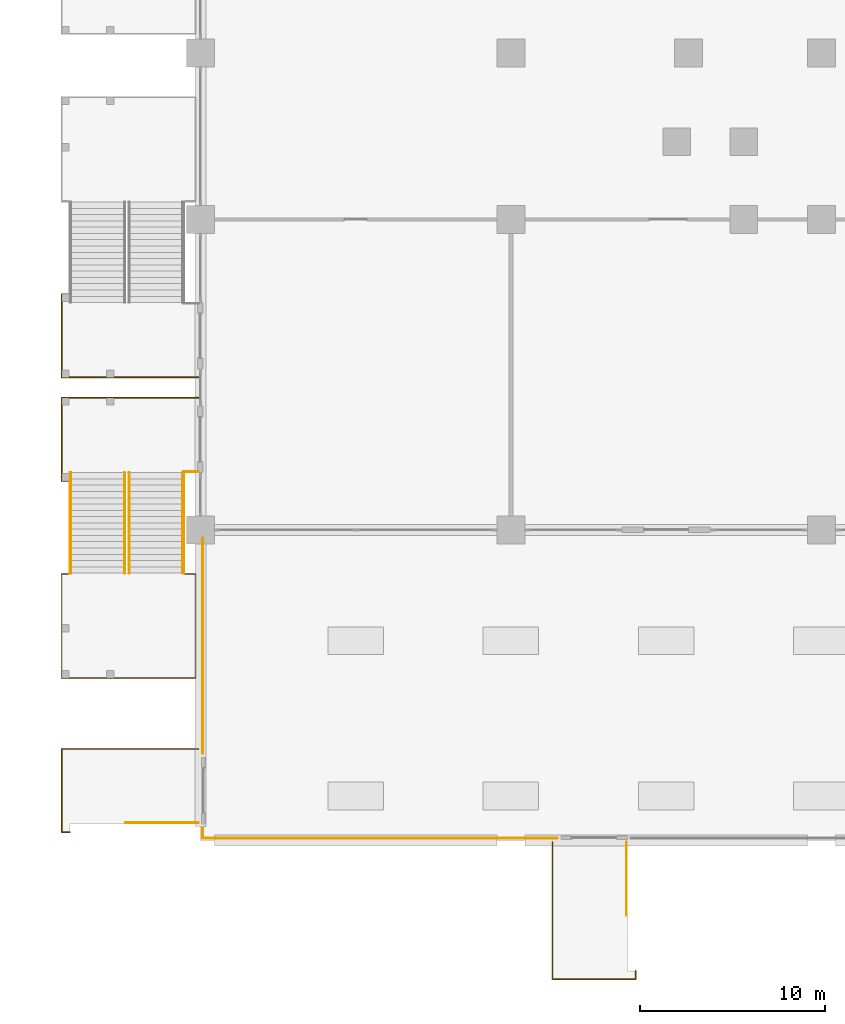
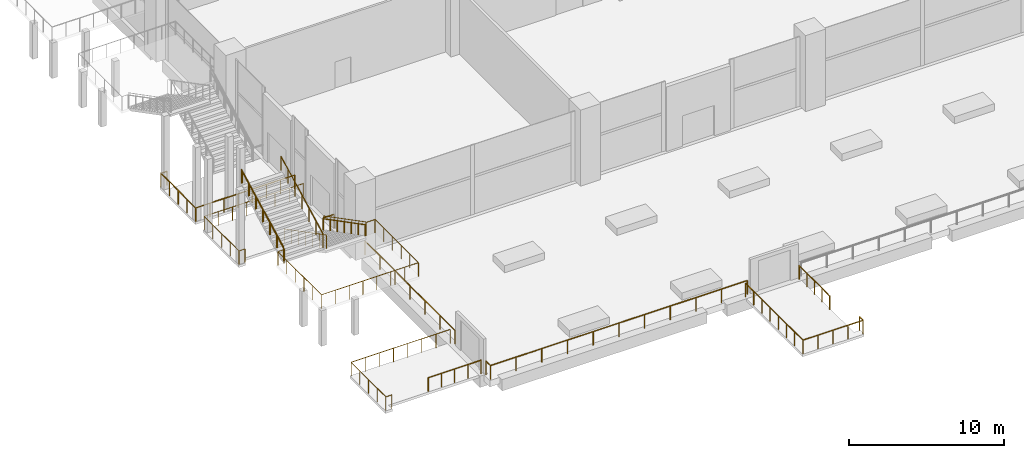
# One storey, part 32 of 47: 16 railings.
"""IFC4 building model written with IfcOpenShell, lengths in metres."""

from ifc_helpers import new_model, si_unit, direction, frame, origin, origin_2d, place, context, subcontext, project, spatial, circle, extrude, material, type_object, element, save


model = new_model("IFC4")

# Units and contexts
model_context = context("Model", 3, precision=1e-05, world=origin(), true_north=direction((0.0, 1.0)))
body_context = subcontext(model_context, "Body", "Model", "MODEL_VIEW")
ifc_project = project(units=[si_unit("LENGTHUNIT", "METRE"), si_unit("AREAUNIT", "SQUARE_METRE"), si_unit("VOLUMEUNIT", "CUBIC_METRE"), si_unit("PLANEANGLEUNIT", "RADIAN"), si_unit("MASSUNIT", "GRAM", prefix="KILO")], contexts=[model_context])

# Site, building, storey
site_placement = place(None, origin())
site = spatial("IfcSite", under=ifc_project, at=site_placement, CompositionType="ELEMENT")
building_placement = place(site_placement, origin())
building = spatial("IfcBuilding", under=site, at=building_placement, Name="Candeia Pilgrim Tower and Theatre", CompositionType="ELEMENT")
storey_placement = place(building_placement, frame((0.0, 0.0, 23.0)))
storey = spatial("IfcBuildingStorey", under=building, at=storey_placement, Name="L03", CompositionType="ELEMENT", Elevation=23.0)

# Railings
ifc_material_1 = material(Name="Stainless steel balustrade", Category="steel")
railing_type_1 = type_object("IfcRailingType", Name="G1 loggia guard 1100", PredefinedType="GUARDRAIL", material=ifc_material_1)
railing_1_placement = place(storey_placement, frame((78.10009765625, 64.52001953125, 0.0)))
element("IfcRailing", 1, at=railing_1_placement, inside=storey, type_object=railing_type_1, Name="Terrace guard L03.4", PredefinedType="GUARDRAIL", context=body_context, shape_type="SweptSolid", body=[
    extrude(circle(Radius=0.02392578125, at=origin_2d()), frame((0.0, 0.0, 1.076171875), z_axis=(-1.0, 0.0, 0.0), x_axis=(0.0, -1.0, 0.0)), (0.0, 0.0, 1.0), 19.18017578125),
    extrude(circle(Radius=0.02392578125, at=origin_2d()), frame((-19.18017578125, 0.0, 1.076171875), z_axis=(0.0, 1.0, 0.0), x_axis=(-1.0, 0.0, 0.0)), (0.0, 0.0, 1.0), 0.580078125),
    extrude(circle(Radius=0.02099609375, at=origin_2d()), origin(), (0.0, 0.0, 1.0), 1.052001953125),
    extrude(circle(Radius=0.02099609375, at=origin_2d()), frame((-1.91796875, 0.0, 0.0)), (0.0, 0.0, 1.0), 1.052001953125),
    extrude(circle(Radius=0.02099609375, at=origin_2d()), frame((-3.8359375, 0.0, 0.0)), (0.0, 0.0, 1.0), 1.052001953125),
    extrude(circle(Radius=0.02099609375, at=origin_2d()), frame((-5.754150390625, 0.0, 0.0)), (0.0, 0.0, 1.0), 1.052001953125),
    extrude(circle(Radius=0.02099609375, at=origin_2d()), frame((-7.672119140625, 0.0, 0.0)), (0.0, 0.0, 1.0), 1.052001953125),
    extrude(circle(Radius=0.02099609375, at=origin_2d()), frame((-9.590087890625, 0.0, 0.0)), (0.0, 0.0, 1.0), 1.052001953125),
    extrude(circle(Radius=0.02099609375, at=origin_2d()), frame((-11.508056640625, 0.0, 0.0)), (0.0, 0.0, 1.0), 1.052001953125),
    extrude(circle(Radius=0.02099609375, at=origin_2d()), frame((-13.426025390625, 0.0, 0.0)), (0.0, 0.0, 1.0), 1.052001953125),
    extrude(circle(Radius=0.02099609375, at=origin_2d()), frame((-15.34423828125, 0.0, 0.0)), (0.0, 0.0, 1.0), 1.052001953125),
    extrude(circle(Radius=0.02099609375, at=origin_2d()), frame((-17.26220703125, 0.0, 0.0)), (0.0, 0.0, 1.0), 1.052001953125),
    extrude(circle(Radius=0.02099609375, at=origin_2d()), frame((-19.18017578125, 0.0, 0.0)), (0.0, 0.0, 1.0), 1.052001953125),
    extrude(circle(Radius=0.02099609375, at=origin_2d()), frame((-19.18017578125, 0.580078125, 0.0)), (0.0, 0.0, 1.0), 1.052001953125),
])
railing_2_placement = place(storey_placement, frame((58.919921875, 69.10009765625, 0.0)))
element("IfcRailing", 2, at=railing_2_placement, inside=storey, type_object=railing_type_1, Name="Terrace guard L03.5", PredefinedType="GUARDRAIL", context=body_context, shape_type="SweptSolid", body=[
    extrude(circle(Radius=0.02392578125, at=origin_2d()), frame((0.0, 0.0, 1.076171875), z_axis=(0.0, 1.0, 0.0), x_axis=(-1.0, 0.0, 0.0)), (0.0, 0.0, 1.0), 11.64990234375),
    extrude(circle(Radius=0.02099609375, at=origin_2d()), origin(), (0.0, 0.0, 1.0), 1.052001953125),
    extrude(circle(Radius=0.02099609375, at=origin_2d()), frame((0.0, 1.941650390625, 0.0)), (0.0, 0.0, 1.0), 1.052001953125),
    extrude(circle(Radius=0.02099609375, at=origin_2d()), frame((0.0, 3.88330078125, 0.0)), (0.0, 0.0, 1.0), 1.052001953125),
    extrude(circle(Radius=0.02099609375, at=origin_2d()), frame((0.0, 5.824951171875, 0.0)), (0.0, 0.0, 1.0), 1.052001953125),
    extrude(circle(Radius=0.02099609375, at=origin_2d()), frame((0.0, 7.7666015625, 0.0)), (0.0, 0.0, 1.0), 1.052001953125),
    extrude(circle(Radius=0.02099609375, at=origin_2d()), frame((0.0, 9.708251953125, 0.0)), (0.0, 0.0, 1.0), 1.052001953125),
    extrude(circle(Radius=0.02099609375, at=origin_2d()), frame((0.0, 11.64990234375, 0.0)), (0.0, 0.0, 1.0), 1.052001953125),
])
railing_type_2 = type_object("IfcRailingType", Name="RL-GUARD-1100", PredefinedType="GUARDRAIL", material=ifc_material_1)
railing_3_placement = place(storey_placement, frame((77.85009765625, 64.300048828125, 0.0)))
element("IfcRailing", 3, at=railing_3_placement, inside=storey, type_object=railing_type_2, Name="L03 External escape stair ES8 landing guard", PredefinedType="GUARDRAIL", context=body_context, shape_type="SweptSolid", body=[
    extrude(circle(Radius=0.02392578125, at=origin_2d()), frame((0.0, 0.0, 1.076171875), z_axis=(0.0, -1.0, 0.0), x_axis=(1.0, 0.0, 0.0)), (0.0, 0.0, 1.0), 7.400146484375),
    extrude(circle(Radius=0.02392578125, at=origin_2d()), frame((0.0, -7.400146484375, 1.076171875), z_axis=(1.0, 0.0, 0.0), x_axis=(0.0, 1.0, 0.0)), (0.0, 0.0, 1.0), 4.5),
    extrude(circle(Radius=0.02392578125, at=origin_2d()), frame((4.5, -7.400146484375, 1.076171875), z_axis=(0.0, 1.0, 0.0), x_axis=(-1.0, 0.0, 0.0)), (0.0, 0.0, 1.0), 0.4501953125),
    extrude(circle(Radius=0.02099609375, at=origin_2d()), origin(), (0.0, 0.0, 1.0), 1.052001953125),
    extrude(circle(Radius=0.02099609375, at=origin_2d()), frame((0.0, -1.05712890625, 0.0)), (0.0, 0.0, 1.0), 1.052001953125),
    extrude(circle(Radius=0.02099609375, at=origin_2d()), frame((0.0, -2.1142578125, 0.0)), (0.0, 0.0, 1.0), 1.052001953125),
    extrude(circle(Radius=0.02099609375, at=origin_2d()), frame((0.0, -3.17138671875, 0.0)), (0.0, 0.0, 1.0), 1.052001953125),
    extrude(circle(Radius=0.02099609375, at=origin_2d()), frame((0.0, -4.228759765625, 0.0)), (0.0, 0.0, 1.0), 1.052001953125),
    extrude(circle(Radius=0.02099609375, at=origin_2d()), frame((0.0, -5.285888671875, 0.0)), (0.0, 0.0, 1.0), 1.052001953125),
    extrude(circle(Radius=0.02099609375, at=origin_2d()), frame((0.0, -6.343017578125, 0.0)), (0.0, 0.0, 1.0), 1.052001953125),
    extrude(circle(Radius=0.02099609375, at=origin_2d()), frame((0.0, -7.400146484375, 0.0)), (0.0, 0.0, 1.0), 1.052001953125),
    extrude(circle(Radius=0.02099609375, at=origin_2d()), frame((1.125, -7.400146484375, 0.0)), (0.0, 0.0, 1.0), 1.052001953125),
    extrude(circle(Radius=0.02099609375, at=origin_2d()), frame((2.25, -7.400146484375, 0.0)), (0.0, 0.0, 1.0), 1.052001953125),
    extrude(circle(Radius=0.02099609375, at=origin_2d()), frame((3.375, -7.400146484375, 0.0)), (0.0, 0.0, 1.0), 1.052001953125),
    extrude(circle(Radius=0.02099609375, at=origin_2d()), frame((4.5, -7.400146484375, 0.0)), (0.0, 0.0, 1.0), 1.052001953125),
    extrude(circle(Radius=0.02099609375, at=origin_2d()), frame((4.5, -6.949951171875, 0.0)), (0.0, 0.0, 1.0), 1.052001953125),
])
railing_4_placement = place(storey_placement, frame((81.85009765625, 64.300048828125, 0.0)))
element("IfcRailing", 4, at=railing_4_placement, inside=storey, type_object=railing_type_2, Name="L03 External escape stair ES8 top guard", PredefinedType="GUARDRAIL", context=body_context, shape_type="SweptSolid", body=[
    extrude(circle(Radius=0.02392578125, at=origin_2d()), frame((0.0, 0.0, 1.076171875), z_axis=(0.0, -1.0, 0.0), x_axis=(1.0, 0.0, 0.0)), (0.0, 0.0, 1.0), 3.949951171875),
    extrude(circle(Radius=0.02099609375, at=origin_2d()), origin(), (0.0, 0.0, 1.0), 1.052001953125),
    extrude(circle(Radius=0.02099609375, at=origin_2d()), frame((0.0, -0.987548828125, 0.0)), (0.0, 0.0, 1.0), 1.052001953125),
    extrude(circle(Radius=0.02099609375, at=origin_2d()), frame((0.0, -1.97509765625, 0.0)), (0.0, 0.0, 1.0), 1.052001953125),
    extrude(circle(Radius=0.02099609375, at=origin_2d()), frame((0.0, -2.96240234375, 0.0)), (0.0, 0.0, 1.0), 1.052001953125),
    extrude(circle(Radius=0.02099609375, at=origin_2d()), frame((0.0, -3.949951171875, 0.0)), (0.0, 0.0, 1.0), 1.052001953125),
])
railing_5_placement = place(storey_placement, frame((58.699951171875, 69.35009765625, 0.0)))
element("IfcRailing", 5, at=railing_5_placement, inside=storey, type_object=railing_type_2, Name="L03 External escape stair ES10 landing guard", PredefinedType="GUARDRAIL", context=body_context, shape_type="SweptSolid", body=[
    extrude(circle(Radius=0.02392578125, at=origin_2d()), frame((0.0, 0.0, 1.076171875), z_axis=(-1.0, 0.0, 0.0), x_axis=(0.0, -1.0, 0.0)), (0.0, 0.0, 1.0), 7.39990234375),
    extrude(circle(Radius=0.02392578125, at=origin_2d()), frame((-7.39990234375, 0.0, 1.076171875), z_axis=(0.0, -1.0, 0.0), x_axis=(1.0, 0.0, 0.0)), (0.0, 0.0, 1.0), 4.5),
    extrude(circle(Radius=0.02392578125, at=origin_2d()), frame((-7.39990234375, -4.5, 1.076171875), z_axis=(1.0, 0.0, 0.0), x_axis=(0.0, 1.0, 0.0)), (0.0, 0.0, 1.0), 0.449951171875),
    extrude(circle(Radius=0.02099609375, at=origin_2d()), origin(), (0.0, 0.0, 1.0), 1.052001953125),
    extrude(circle(Radius=0.02099609375, at=origin_2d()), frame((-1.05712890625, 0.0, 0.0)), (0.0, 0.0, 1.0), 1.052001953125),
    extrude(circle(Radius=0.02099609375, at=origin_2d()), frame((-2.1142578125, 0.0, 0.0)), (0.0, 0.0, 1.0), 1.052001953125),
    extrude(circle(Radius=0.02099609375, at=origin_2d()), frame((-3.17138671875, 0.0, 0.0)), (0.0, 0.0, 1.0), 1.052001953125),
    extrude(circle(Radius=0.02099609375, at=origin_2d()), frame((-4.228515625, 0.0, 0.0)), (0.0, 0.0, 1.0), 1.052001953125),
    extrude(circle(Radius=0.02099609375, at=origin_2d()), frame((-5.28564453125, 0.0, 0.0)), (0.0, 0.0, 1.0), 1.052001953125),
    extrude(circle(Radius=0.02099609375, at=origin_2d()), frame((-6.3427734375, 0.0, 0.0)), (0.0, 0.0, 1.0), 1.052001953125),
    extrude(circle(Radius=0.02099609375, at=origin_2d()), frame((-7.39990234375, 0.0, 0.0)), (0.0, 0.0, 1.0), 1.052001953125),
    extrude(circle(Radius=0.02099609375, at=origin_2d()), frame((-7.39990234375, -1.125, 0.0)), (0.0, 0.0, 1.0), 1.052001953125),
    extrude(circle(Radius=0.02099609375, at=origin_2d()), frame((-7.39990234375, -2.25, 0.0)), (0.0, 0.0, 1.0), 1.052001953125),
    extrude(circle(Radius=0.02099609375, at=origin_2d()), frame((-7.39990234375, -3.375, 0.0)), (0.0, 0.0, 1.0), 1.052001953125),
    extrude(circle(Radius=0.02099609375, at=origin_2d()), frame((-7.39990234375, -4.5, 0.0)), (0.0, 0.0, 1.0), 1.052001953125),
    extrude(circle(Radius=0.02099609375, at=origin_2d()), frame((-6.949951171875, -4.5, 0.0)), (0.0, 0.0, 1.0), 1.052001953125),
])
railing_6_placement = place(storey_placement, frame((58.699951171875, 65.35009765625, 0.0)))
element("IfcRailing", 6, at=railing_6_placement, inside=storey, type_object=railing_type_2, Name="L03 External escape stair ES10 top guard", PredefinedType="GUARDRAIL", context=body_context, shape_type="SweptSolid", body=[
    extrude(circle(Radius=0.02392578125, at=origin_2d()), frame((0.0, 0.0, 1.076171875), z_axis=(-1.0, 0.0, 0.0), x_axis=(0.0, -1.0, 0.0)), (0.0, 0.0, 1.0), 3.949951171875),
    extrude(circle(Radius=0.02099609375, at=origin_2d()), origin(), (0.0, 0.0, 1.0), 1.052001953125),
    extrude(circle(Radius=0.02099609375, at=origin_2d()), frame((-0.987548828125, 0.0, 0.0)), (0.0, 0.0, 1.0), 1.052001953125),
    extrude(circle(Radius=0.02099609375, at=origin_2d()), frame((-1.97509765625, 0.0, 0.0)), (0.0, 0.0, 1.0), 1.052001953125),
    extrude(circle(Radius=0.02099609375, at=origin_2d()), frame((-2.96240234375, 0.0, 0.0)), (0.0, 0.0, 1.0), 1.052001953125),
    extrude(circle(Radius=0.02099609375, at=origin_2d()), frame((-3.949951171875, 0.0, 0.0)), (0.0, 0.0, 1.0), 1.052001953125),
])
railing_7_placement = place(storey_placement, frame((54.949951171875, 84.300048828125, 0.176513671875)))
element("IfcRailing", 7, at=railing_7_placement, inside=storey, type_object=railing_type_2, Name="L03 ES11 stair guard 1", PredefinedType="GUARDRAIL", context=body_context, shape_type="SweptSolid", body=[
    extrude(circle(Radius=0.02392578125, at=origin_2d()), frame((0.0, 0.0, 1.076171875), z_axis=(0.0, -0.887569374008, 0.460674078198), x_axis=(1.0, 0.0, 0.0)), (0.0, 0.0, 1.0), 6.129150390625),
    extrude(circle(Radius=0.02099609375, at=origin_2d()), origin(), (0.0, 0.0, 1.0), 1.052001953125),
    extrude(circle(Radius=0.02099609375, at=origin_2d()), frame((0.0, -0.90673828125, 0.470703125)), (0.0, 0.0, 1.0), 1.052001953125),
    extrude(circle(Radius=0.02099609375, at=origin_2d()), frame((0.0, -1.813232421875, 0.941162109375)), (0.0, 0.0, 1.0), 1.052001953125),
    extrude(circle(Radius=0.02099609375, at=origin_2d()), frame((0.0, -2.719970703125, 1.41162109375)), (0.0, 0.0, 1.0), 1.052001953125),
    extrude(circle(Radius=0.02099609375, at=origin_2d()), frame((0.0, -3.626708984375, 1.88232421875)), (0.0, 0.0, 1.0), 1.052001953125),
    extrude(circle(Radius=0.02099609375, at=origin_2d()), frame((0.0, -4.533203125, 2.35302734375)), (0.0, 0.0, 1.0), 1.052001953125),
    extrude(circle(Radius=0.02099609375, at=origin_2d()), frame((0.0, -5.43994140625, 2.823486328125)), (0.0, 0.0, 1.0), 1.052001953125),
])
railing_8_placement = place(storey_placement, frame((54.699951171875, 78.860107421875, 3.176513671875)))
element("IfcRailing", 8, at=railing_8_placement, inside=storey, type_object=railing_type_2, Name="L03 ES11 stair guard 2", PredefinedType="GUARDRAIL", context=body_context, shape_type="SweptSolid", body=[
    extrude(circle(Radius=0.02392578125, at=origin_2d()), frame((0.0, 0.0, 1.076171875), z_axis=(0.0, 0.887569374008, 0.460674078198), x_axis=(-1.0, 0.0, 0.0)), (0.0, 0.0, 1.0), 6.129150390625),
    extrude(circle(Radius=0.02099609375, at=origin_2d()), origin(), (0.0, 0.0, 1.0), 1.052001953125),
    extrude(circle(Radius=0.02099609375, at=origin_2d()), frame((0.0, 0.90673828125, 0.470703125)), (0.0, 0.0, 1.0), 1.052001953125),
    extrude(circle(Radius=0.02099609375, at=origin_2d()), frame((0.0, 1.813232421875, 0.941162109375)), (0.0, 0.0, 1.0), 1.052001953125),
    extrude(circle(Radius=0.02099609375, at=origin_2d()), frame((0.0, 2.719970703125, 1.41162109375)), (0.0, 0.0, 1.0), 1.052001953125),
    extrude(circle(Radius=0.02099609375, at=origin_2d()), frame((0.0, 3.626708984375, 1.88232421875)), (0.0, 0.0, 1.0), 1.052001953125),
    extrude(circle(Radius=0.02099609375, at=origin_2d()), frame((0.0, 4.533203125, 2.35302734375)), (0.0, 0.0, 1.0), 1.052001953125),
    extrude(circle(Radius=0.02099609375, at=origin_2d()), frame((0.0, 5.43994140625, 2.823486328125)), (0.0, 0.0, 1.0), 1.052001953125),
])
railing_9_placement = place(storey_placement, frame((57.89990234375, 84.300048828125, 0.176513671875)))
element("IfcRailing", 9, at=railing_9_placement, inside=storey, type_object=railing_type_2, Name="L03 ES11 stair guard 3", PredefinedType="GUARDRAIL", context=body_context, shape_type="SweptSolid", body=[
    extrude(circle(Radius=0.02392578125, at=origin_2d()), frame((0.0, 0.0, 1.076171875), z_axis=(0.0, -0.887569374008, 0.460674078198), x_axis=(1.0, 0.0, 0.0)), (0.0, 0.0, 1.0), 6.129150390625),
    extrude(circle(Radius=0.02099609375, at=origin_2d()), origin(), (0.0, 0.0, 1.0), 1.052001953125),
    extrude(circle(Radius=0.02099609375, at=origin_2d()), frame((0.0, -0.90673828125, 0.470703125)), (0.0, 0.0, 1.0), 1.052001953125),
    extrude(circle(Radius=0.02099609375, at=origin_2d()), frame((0.0, -1.813232421875, 0.941162109375)), (0.0, 0.0, 1.0), 1.052001953125),
    extrude(circle(Radius=0.02099609375, at=origin_2d()), frame((0.0, -2.719970703125, 1.41162109375)), (0.0, 0.0, 1.0), 1.052001953125),
    extrude(circle(Radius=0.02099609375, at=origin_2d()), frame((0.0, -3.626708984375, 1.88232421875)), (0.0, 0.0, 1.0), 1.052001953125),
    extrude(circle(Radius=0.02099609375, at=origin_2d()), frame((0.0, -4.533203125, 2.35302734375)), (0.0, 0.0, 1.0), 1.052001953125),
    extrude(circle(Radius=0.02099609375, at=origin_2d()), frame((0.0, -5.43994140625, 2.823486328125)), (0.0, 0.0, 1.0), 1.052001953125),
])
railing_10_placement = place(storey_placement, frame((51.75, 78.860107421875, 3.176513671875)))
element("IfcRailing", 10, at=railing_10_placement, inside=storey, type_object=railing_type_2, Name="L03 ES11 stair guard 4", PredefinedType="GUARDRAIL", context=body_context, shape_type="SweptSolid", body=[
    extrude(circle(Radius=0.02392578125, at=origin_2d()), frame((0.0, 0.0, 1.076171875), z_axis=(0.0, 0.887569374008, 0.460674078198), x_axis=(-1.0, 0.0, 0.0)), (0.0, 0.0, 1.0), 6.129150390625),
    extrude(circle(Radius=0.02099609375, at=origin_2d()), origin(), (0.0, 0.0, 1.0), 1.052001953125),
    extrude(circle(Radius=0.02099609375, at=origin_2d()), frame((0.0, 0.90673828125, 0.470703125)), (0.0, 0.0, 1.0), 1.052001953125),
    extrude(circle(Radius=0.02099609375, at=origin_2d()), frame((0.0, 1.813232421875, 0.941162109375)), (0.0, 0.0, 1.0), 1.052001953125),
    extrude(circle(Radius=0.02099609375, at=origin_2d()), frame((0.0, 2.719970703125, 1.41162109375)), (0.0, 0.0, 1.0), 1.052001953125),
    extrude(circle(Radius=0.02099609375, at=origin_2d()), frame((0.0, 3.626708984375, 1.88232421875)), (0.0, 0.0, 1.0), 1.052001953125),
    extrude(circle(Radius=0.02099609375, at=origin_2d()), frame((0.0, 4.533203125, 2.35302734375)), (0.0, 0.0, 1.0), 1.052001953125),
    extrude(circle(Radius=0.02099609375, at=origin_2d()), frame((0.0, 5.43994140625, 2.823486328125)), (0.0, 0.0, 1.0), 1.052001953125),
])
railing_11_placement = place(storey_placement, frame((57.89990234375, 78.81005859375, 3.0)))
element("IfcRailing", 11, at=railing_11_placement, inside=storey, type_object=railing_type_2, Name="L03 ES11 stair guard 5", PredefinedType="GUARDRAIL", context=body_context, shape_type="SweptSolid", body=[
    extrude(circle(Radius=0.02392578125, at=origin_2d()), frame((0.0, 0.0, 1.076171875), z_axis=(1.0, 0.0, 0.0), x_axis=(0.0, 1.0, 0.0)), (0.0, 0.0, 1.0), 0.650146484375),
    extrude(circle(Radius=0.02392578125, at=origin_2d()), frame((0.650146484375, 0.0, 1.076171875), z_axis=(0.0, -1.0, 0.0), x_axis=(1.0, 0.0, 0.0)), (0.0, 0.0, 1.0), 5.6201171875),
    extrude(circle(Radius=0.02392578125, at=origin_2d()), frame((0.650146484375, -5.6201171875, 1.076171875), z_axis=(-1.0, 0.0, 0.0), x_axis=(0.0, -1.0, 0.0)), (0.0, 0.0, 1.0), 7.25),
    extrude(circle(Radius=0.02392578125, at=origin_2d()), frame((-6.599853515625, -5.6201171875, 1.076171875), z_axis=(0.0, 1.0, 0.0), x_axis=(-1.0, 0.0, 0.0)), (0.0, 0.0, 1.0), 5.6201171875),
    extrude(circle(Radius=0.02392578125, at=origin_2d()), frame((-6.599853515625, 0.0, 1.076171875), z_axis=(1.0, 0.0, 0.0), x_axis=(0.0, 1.0, 0.0)), (0.0, 0.0, 1.0), 0.449951171875),
    extrude(circle(Radius=0.02099609375, at=origin_2d()), origin(), (0.0, 0.0, 1.0), 1.052001953125),
    extrude(circle(Radius=0.02099609375, at=origin_2d()), frame((0.650146484375, 0.0, 0.0)), (0.0, 0.0, 1.0), 1.052001953125),
    extrude(circle(Radius=0.02099609375, at=origin_2d()), frame((0.650146484375, -1.1240234375, 0.0)), (0.0, 0.0, 1.0), 1.052001953125),
    extrude(circle(Radius=0.02099609375, at=origin_2d()), frame((0.650146484375, -2.248046875, 0.0)), (0.0, 0.0, 1.0), 1.052001953125),
    extrude(circle(Radius=0.02099609375, at=origin_2d()), frame((0.650146484375, -3.3720703125, 0.0)), (0.0, 0.0, 1.0), 1.052001953125),
    extrude(circle(Radius=0.02099609375, at=origin_2d()), frame((0.650146484375, -4.49609375, 0.0)), (0.0, 0.0, 1.0), 1.052001953125),
    extrude(circle(Radius=0.02099609375, at=origin_2d()), frame((0.650146484375, -5.6201171875, 0.0)), (0.0, 0.0, 1.0), 1.052001953125),
    extrude(circle(Radius=0.02099609375, at=origin_2d()), frame((-0.385498046875, -5.6201171875, 0.0)), (0.0, 0.0, 1.0), 1.052001953125),
    extrude(circle(Radius=0.02099609375, at=origin_2d()), frame((-1.42138671875, -5.6201171875, 0.0)), (0.0, 0.0, 1.0), 1.052001953125),
    extrude(circle(Radius=0.02099609375, at=origin_2d()), frame((-2.45703125, -5.6201171875, 0.0)), (0.0, 0.0, 1.0), 1.052001953125),
    extrude(circle(Radius=0.02099609375, at=origin_2d()), frame((-3.49267578125, -5.6201171875, 0.0)), (0.0, 0.0, 1.0), 1.052001953125),
    extrude(circle(Radius=0.02099609375, at=origin_2d()), frame((-4.5283203125, -5.6201171875, 0.0)), (0.0, 0.0, 1.0), 1.052001953125),
    extrude(circle(Radius=0.02099609375, at=origin_2d()), frame((-5.564208984375, -5.6201171875, 0.0)), (0.0, 0.0, 1.0), 1.052001953125),
    extrude(circle(Radius=0.02099609375, at=origin_2d()), frame((-6.599853515625, -5.6201171875, 0.0)), (0.0, 0.0, 1.0), 1.052001953125),
    extrude(circle(Radius=0.02099609375, at=origin_2d()), frame((-6.599853515625, -4.49609375, 0.0)), (0.0, 0.0, 1.0), 1.052001953125),
    extrude(circle(Radius=0.02099609375, at=origin_2d()), frame((-6.599853515625, -3.3720703125, 0.0)), (0.0, 0.0, 1.0), 1.052001953125),
    extrude(circle(Radius=0.02099609375, at=origin_2d()), frame((-6.599853515625, -2.248046875, 0.0)), (0.0, 0.0, 1.0), 1.052001953125),
    extrude(circle(Radius=0.02099609375, at=origin_2d()), frame((-6.599853515625, -1.1240234375, 0.0)), (0.0, 0.0, 1.0), 1.052001953125),
    extrude(circle(Radius=0.02099609375, at=origin_2d()), frame((-6.599853515625, 0.0, 0.0)), (0.0, 0.0, 1.0), 1.052001953125),
    extrude(circle(Radius=0.02099609375, at=origin_2d()), frame((-6.14990234375, 0.0, 0.0)), (0.0, 0.0, 1.0), 1.052001953125),
])
railing_12_placement = place(storey_placement, frame((58.699951171875, 88.35009765625, 0.0)))
element("IfcRailing", 12, at=railing_12_placement, inside=storey, type_object=railing_type_2, Name="L03 External escape stair ES11 landing guard", PredefinedType="GUARDRAIL", context=body_context, shape_type="SweptSolid", body=[
    extrude(circle(Radius=0.02392578125, at=origin_2d()), frame((0.0, 0.0, 1.076171875), z_axis=(-1.0, 0.0, 0.0), x_axis=(0.0, -1.0, 0.0)), (0.0, 0.0, 1.0), 7.39990234375),
    extrude(circle(Radius=0.02392578125, at=origin_2d()), frame((-7.39990234375, 0.0, 1.076171875), z_axis=(0.0, -1.0, 0.0), x_axis=(1.0, 0.0, 0.0)), (0.0, 0.0, 1.0), 4.5),
    extrude(circle(Radius=0.02392578125, at=origin_2d()), frame((-7.39990234375, -4.5, 1.076171875), z_axis=(1.0, 0.0, 0.0), x_axis=(0.0, 1.0, 0.0)), (0.0, 0.0, 1.0), 0.449951171875),
    extrude(circle(Radius=0.02099609375, at=origin_2d()), origin(), (0.0, 0.0, 1.0), 1.052001953125),
    extrude(circle(Radius=0.02099609375, at=origin_2d()), frame((-1.05712890625, 0.0, 0.0)), (0.0, 0.0, 1.0), 1.052001953125),
    extrude(circle(Radius=0.02099609375, at=origin_2d()), frame((-2.1142578125, 0.0, 0.0)), (0.0, 0.0, 1.0), 1.052001953125),
    extrude(circle(Radius=0.02099609375, at=origin_2d()), frame((-3.17138671875, 0.0, 0.0)), (0.0, 0.0, 1.0), 1.052001953125),
    extrude(circle(Radius=0.02099609375, at=origin_2d()), frame((-4.228515625, 0.0, 0.0)), (0.0, 0.0, 1.0), 1.052001953125),
    extrude(circle(Radius=0.02099609375, at=origin_2d()), frame((-5.28564453125, 0.0, 0.0)), (0.0, 0.0, 1.0), 1.052001953125),
    extrude(circle(Radius=0.02099609375, at=origin_2d()), frame((-6.3427734375, 0.0, 0.0)), (0.0, 0.0, 1.0), 1.052001953125),
    extrude(circle(Radius=0.02099609375, at=origin_2d()), frame((-7.39990234375, 0.0, 0.0)), (0.0, 0.0, 1.0), 1.052001953125),
    extrude(circle(Radius=0.02099609375, at=origin_2d()), frame((-7.39990234375, -1.125, 0.0)), (0.0, 0.0, 1.0), 1.052001953125),
    extrude(circle(Radius=0.02099609375, at=origin_2d()), frame((-7.39990234375, -2.25, 0.0)), (0.0, 0.0, 1.0), 1.052001953125),
    extrude(circle(Radius=0.02099609375, at=origin_2d()), frame((-7.39990234375, -3.375, 0.0)), (0.0, 0.0, 1.0), 1.052001953125),
    extrude(circle(Radius=0.02099609375, at=origin_2d()), frame((-7.39990234375, -4.5, 0.0)), (0.0, 0.0, 1.0), 1.052001953125),
    extrude(circle(Radius=0.02099609375, at=origin_2d()), frame((-6.949951171875, -4.5, 0.0)), (0.0, 0.0, 1.0), 1.052001953125),
])
railing_13_placement = place(storey_placement, frame((58.699951171875, 84.35009765625, 0.0)))
element("IfcRailing", 13, at=railing_13_placement, inside=storey, type_object=railing_type_2, Name="L03 External escape stair ES11 bridge guard", PredefinedType="GUARDRAIL", context=body_context, shape_type="SweptSolid", body=[
    extrude(circle(Radius=0.02392578125, at=origin_2d()), frame((0.0, 0.0, 1.076171875), z_axis=(-1.0, 0.0, 0.0), x_axis=(0.0, -1.0, 0.0)), (0.0, 0.0, 1.0), 0.800048828125),
    extrude(circle(Radius=0.02099609375, at=origin_2d()), origin(), (0.0, 0.0, 1.0), 1.052001953125),
    extrude(circle(Radius=0.02099609375, at=origin_2d()), frame((-0.800048828125, 0.0, 0.0)), (0.0, 0.0, 1.0), 1.052001953125),
])
railing_14_placement = place(storey_placement, frame((58.699951171875, 89.449951171875, 0.0)))
element("IfcRailing", 14, at=railing_14_placement, inside=storey, type_object=railing_type_2, Name="L03 External escape stair ES12 landing guard", PredefinedType="GUARDRAIL", context=body_context, shape_type="SweptSolid", body=[
    extrude(circle(Radius=0.02392578125, at=origin_2d()), frame((0.0, 0.0, 1.076171875), z_axis=(-1.0, 0.0, 0.0), x_axis=(0.0, -1.0, 0.0)), (0.0, 0.0, 1.0), 7.39990234375),
    extrude(circle(Radius=0.02392578125, at=origin_2d()), frame((-7.39990234375, 0.0, 1.076171875), z_axis=(0.0, 1.0, 0.0), x_axis=(-1.0, 0.0, 0.0)), (0.0, 0.0, 1.0), 4.5),
    extrude(circle(Radius=0.02392578125, at=origin_2d()), frame((-7.39990234375, 4.5, 1.076171875), z_axis=(1.0, 0.0, 0.0), x_axis=(0.0, 1.0, 0.0)), (0.0, 0.0, 1.0), 0.449951171875),
    extrude(circle(Radius=0.02099609375, at=origin_2d()), origin(), (0.0, 0.0, 1.0), 1.052001953125),
    extrude(circle(Radius=0.02099609375, at=origin_2d()), frame((-1.05712890625, 0.0, 0.0)), (0.0, 0.0, 1.0), 1.052001953125),
    extrude(circle(Radius=0.02099609375, at=origin_2d()), frame((-2.1142578125, 0.0, 0.0)), (0.0, 0.0, 1.0), 1.052001953125),
    extrude(circle(Radius=0.02099609375, at=origin_2d()), frame((-3.17138671875, 0.0, 0.0)), (0.0, 0.0, 1.0), 1.052001953125),
    extrude(circle(Radius=0.02099609375, at=origin_2d()), frame((-4.228515625, 0.0, 0.0)), (0.0, 0.0, 1.0), 1.052001953125),
    extrude(circle(Radius=0.02099609375, at=origin_2d()), frame((-5.28564453125, 0.0, 0.0)), (0.0, 0.0, 1.0), 1.052001953125),
    extrude(circle(Radius=0.02099609375, at=origin_2d()), frame((-6.3427734375, 0.0, 0.0)), (0.0, 0.0, 1.0), 1.052001953125),
    extrude(circle(Radius=0.02099609375, at=origin_2d()), frame((-7.39990234375, 0.0, 0.0)), (0.0, 0.0, 1.0), 1.052001953125),
    extrude(circle(Radius=0.02099609375, at=origin_2d()), frame((-7.39990234375, 1.125, 0.0)), (0.0, 0.0, 1.0), 1.052001953125),
    extrude(circle(Radius=0.02099609375, at=origin_2d()), frame((-7.39990234375, 2.25, 0.0)), (0.0, 0.0, 1.0), 1.052001953125),
    extrude(circle(Radius=0.02099609375, at=origin_2d()), frame((-7.39990234375, 3.375, 0.0)), (0.0, 0.0, 1.0), 1.052001953125),
    extrude(circle(Radius=0.02099609375, at=origin_2d()), frame((-7.39990234375, 4.5, 0.0)), (0.0, 0.0, 1.0), 1.052001953125),
    extrude(circle(Radius=0.02099609375, at=origin_2d()), frame((-6.949951171875, 4.5, 0.0)), (0.0, 0.0, 1.0), 1.052001953125),
])
ifc_material_2 = material(Name="Stainless steel handrail", Category="steel")
railing_type_3 = type_object("IfcRailingType", Name="RL-HANDRAIL-900", PredefinedType="HANDRAIL", material=ifc_material_2)
railing_15_placement = place(storey_placement, frame((57.85009765625, 84.300048828125, 0.176513671875)))
element("IfcRailing", 15, at=railing_15_placement, inside=storey, type_object=railing_type_3, Name="L03 ES11 stair handrail 1", PredefinedType="HANDRAIL", context=body_context, shape_type="SweptSolid", body=[
    extrude(circle(Radius=0.02392578125, at=origin_2d()), frame((0.0, 0.0, 0.8759765625), z_axis=(0.0, -0.887569374008, 0.460674078198), x_axis=(1.0, 0.0, 0.0)), (0.0, 0.0, 1.0), 6.129150390625),
    extrude(circle(Radius=0.02099609375, at=origin_2d()), origin(), (0.0, 0.0, 1.0), 0.851806640625),
    extrude(circle(Radius=0.02099609375, at=origin_2d()), frame((0.0, -0.90673828125, 0.470703125)), (0.0, 0.0, 1.0), 0.851806640625),
    extrude(circle(Radius=0.02099609375, at=origin_2d()), frame((0.0, -1.813232421875, 0.941162109375)), (0.0, 0.0, 1.0), 0.851806640625),
    extrude(circle(Radius=0.02099609375, at=origin_2d()), frame((0.0, -2.719970703125, 1.41162109375)), (0.0, 0.0, 1.0), 0.851806640625),
    extrude(circle(Radius=0.02099609375, at=origin_2d()), frame((0.0, -3.626708984375, 1.88232421875)), (0.0, 0.0, 1.0), 0.851806640625),
    extrude(circle(Radius=0.02099609375, at=origin_2d()), frame((0.0, -4.533203125, 2.35302734375)), (0.0, 0.0, 1.0), 0.851806640625),
    extrude(circle(Radius=0.02099609375, at=origin_2d()), frame((0.0, -5.43994140625, 2.823486328125)), (0.0, 0.0, 1.0), 0.851806640625),
])
railing_16_placement = place(storey_placement, frame((51.800048828125, 78.860107421875, 3.176513671875)))
element("IfcRailing", 16, at=railing_16_placement, inside=storey, type_object=railing_type_3, Name="L03 ES11 stair handrail 2", PredefinedType="HANDRAIL", context=body_context, shape_type="SweptSolid", body=[
    extrude(circle(Radius=0.02392578125, at=origin_2d()), frame((0.0, 0.0, 0.8759765625), z_axis=(0.0, 0.887569374008, 0.460674078198), x_axis=(-1.0, 0.0, 0.0)), (0.0, 0.0, 1.0), 6.129150390625),
    extrude(circle(Radius=0.02099609375, at=origin_2d()), origin(), (0.0, 0.0, 1.0), 0.851806640625),
    extrude(circle(Radius=0.02099609375, at=origin_2d()), frame((0.0, 0.90673828125, 0.470703125)), (0.0, 0.0, 1.0), 0.851806640625),
    extrude(circle(Radius=0.02099609375, at=origin_2d()), frame((0.0, 1.813232421875, 0.941162109375)), (0.0, 0.0, 1.0), 0.851806640625),
    extrude(circle(Radius=0.02099609375, at=origin_2d()), frame((0.0, 2.719970703125, 1.41162109375)), (0.0, 0.0, 1.0), 0.851806640625),
    extrude(circle(Radius=0.02099609375, at=origin_2d()), frame((0.0, 3.626708984375, 1.88232421875)), (0.0, 0.0, 1.0), 0.851806640625),
    extrude(circle(Radius=0.02099609375, at=origin_2d()), frame((0.0, 4.533203125, 2.35302734375)), (0.0, 0.0, 1.0), 0.851806640625),
    extrude(circle(Radius=0.02099609375, at=origin_2d()), frame((0.0, 5.43994140625, 2.823486328125)), (0.0, 0.0, 1.0), 0.851806640625),
])

save(model, "model.ifc")
